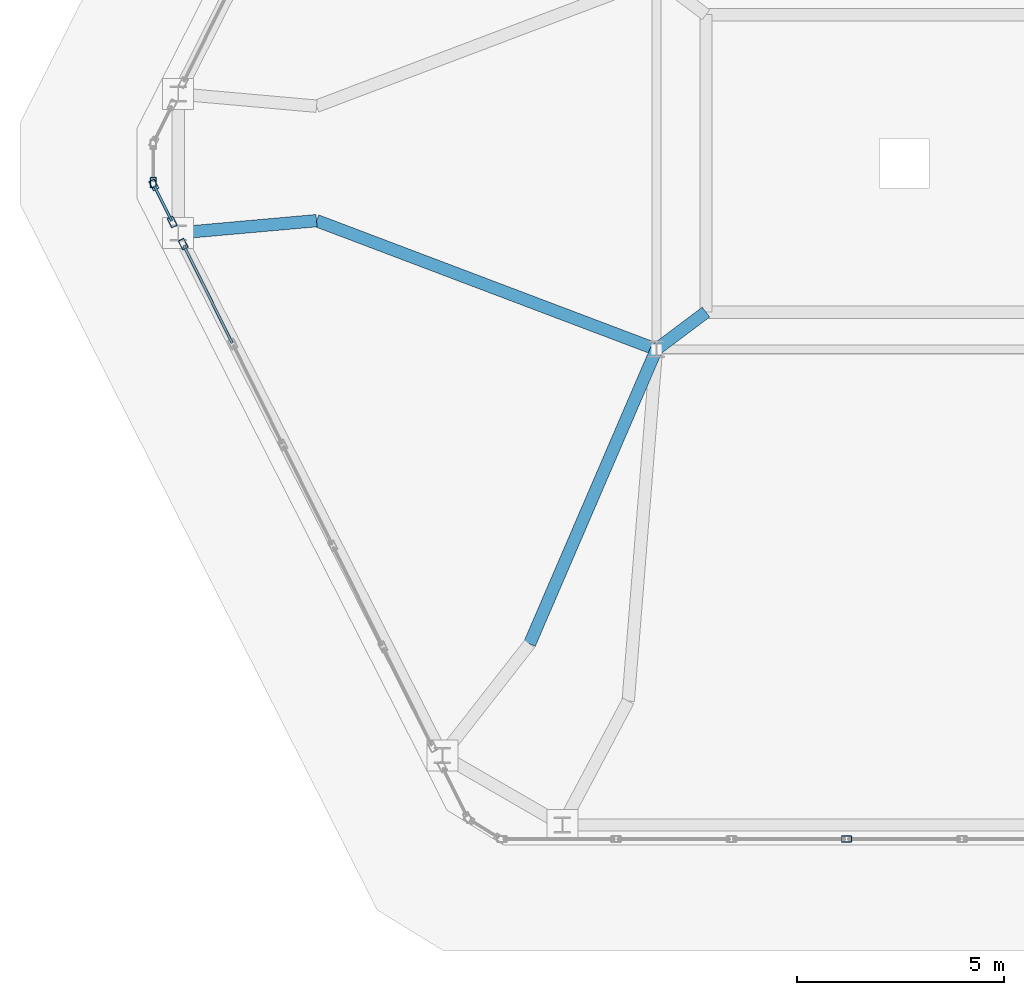
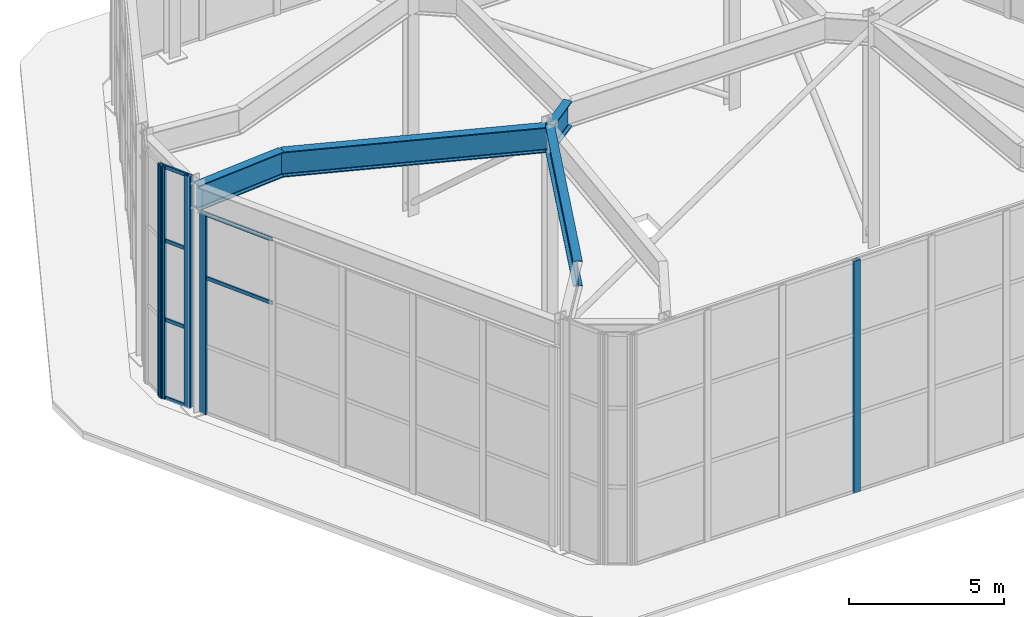
# One storey, part 3 of 12: 11 members, 4 beams, 4 elements without a shape of their own.
"""IFC4 building model written with IfcOpenShell, lengths in metres."""

from ifc_helpers import new_model, si_unit, direction, frame, origin, origin_2d, place, context, subcontext, project, spatial, hollow_rectangle, i_section, extrude, material, layer, layer_set, material_profile, profile_set, type_object, element, aggregate, save


model = new_model("IFC4")

# Units and contexts
model_context = context("Model", 3, precision=1e-05, world=origin(), true_north=direction((0.0, 1.0)))
body_context = subcontext(model_context, "Body", "Model", "MODEL_VIEW")
ifc_project = project(units=[si_unit("LENGTHUNIT", "METRE"), si_unit("AREAUNIT", "SQUARE_METRE"), si_unit("VOLUMEUNIT", "CUBIC_METRE"), si_unit("PLANEANGLEUNIT", "RADIAN"), si_unit("MASSUNIT", "GRAM", prefix="KILO")], contexts=[model_context])

# Site, building, storey
site_placement = place(None, origin())
site = spatial("IfcSite", under=ifc_project, at=site_placement, CompositionType="ELEMENT")
building_placement = place(site_placement, origin())
building = spatial("IfcBuilding", under=site, at=building_placement, Name="Cinnabar Lancet Tower", CompositionType="ELEMENT")
storey_placement = place(building_placement, frame((0.0, 0.0, 305.5)))
storey = spatial("IfcBuildingStorey", under=building, at=storey_placement, Name="L80", CompositionType="ELEMENT", Elevation=305.5)

# Curtain wall, member
ifc_material_1 = material(Name="Thermally broken bronze-anodized aluminium and low-E glass", Category="aluminium")
ifc_layer = layer(ifc_material_1, 0.179931640625)
ifc_layer_set = layer_set([ifc_layer], Name="Thermally broken bronze-anodized aluminium and low-E glass")
curtain_wall_type = type_object("IfcCurtainWallType", Name="ENV-CW-SYS-05", PredefinedType="NOTDEFINED", material=ifc_layer_set)
curtain_wall_1_placement = place(storey_placement, origin())
curtain_wall_1 = element("IfcCurtainWall", 1, at=curtain_wall_1_placement, inside=storey, type_object=curtain_wall_type, Name="L80 Faceted Lancet Crown Curtain Wall 2", PredefinedType="NOTDEFINED")
ifc_material_2 = material(Name="Anodized architectural aluminium 6063-T6", Category="aluminium")
ifc_material_profile_1 = material_profile(ifc_material_2, hollow_rectangle(XDim=0.14990234375, YDim=0.25, WallThickness=0.010009765625, InnerFilletRadius=0.0048828125, OuterFilletRadius=0.014892578125, at=origin_2d()), Name="RHS 250x150x10")
ifc_profile_set_1 = profile_set([ifc_material_profile_1], Name="Anodized architectural aluminium 6063-T6")
member_type_1 = type_object("IfcMemberType", Name="ENV-CW-MUL-260", PredefinedType="MULLION", material=ifc_profile_set_1)
member_1_placement = place(storey_placement, frame((31.0048828125, 9.449951171875, 0.0), z_axis=(0.0, 0.0, 1.0), x_axis=(0.0, 1.0, 0.0)))
member_1 = element("IfcMember", 2, at=member_1_placement, type_object=member_type_1, Name="CW-05 mullion 4", PredefinedType="MULLION", context=body_context, shape_type="SweptSolid", body=[
    extrude(hollow_rectangle(XDim=0.14990234375, YDim=0.25, WallThickness=0.010009765625, InnerFilletRadius=0.0048828125, OuterFilletRadius=0.014892578125, at=origin_2d()), origin(), (0.0, 0.0, 1.0), 9.175048828125),
])
aggregate(curtain_wall_1, [member_1])

curtain_wall_2_placement = place(storey_placement, origin())
curtain_wall_2 = element("IfcCurtainWall", 3, at=curtain_wall_2_placement, inside=storey, type_object=curtain_wall_type, Name="L80 Faceted Lancet Crown Curtain Wall 17", PredefinedType="NOTDEFINED")
member_2_placement = place(storey_placement, frame((14.222900390625, 25.3369140625, 0.0), z_axis=(0.0, 0.0, 1.0), x_axis=(1.0, 0.0, 0.0)))
member_2 = element("IfcMember", 4, at=member_2_placement, type_object=member_type_1, Name="CW-05 mullion 2", PredefinedType="MULLION", context=body_context, shape_type="SweptSolid", body=[
    extrude(hollow_rectangle(XDim=0.14990234375, YDim=0.25, WallThickness=0.010009765625, InnerFilletRadius=0.0048828125, OuterFilletRadius=0.014892578125, at=origin_2d()), origin(), (0.0, 0.0, 1.0), 9.175048828125),
])
aggregate(curtain_wall_2, [member_2])

# Curtain wall, members
curtain_wall_3_placement = place(storey_placement, origin())
curtain_wall_3 = element("IfcCurtainWall", 5, at=curtain_wall_3_placement, inside=storey, type_object=curtain_wall_type, Name="L80 Faceted Lancet Crown Curtain Wall 18", PredefinedType="NOTDEFINED")
member_3_placement = place(storey_placement, frame((14.236328125, 25.280029296875, 0.0), z_axis=(0.0, 0.0, 1.0), x_axis=(0.895741955534, 0.444574345971, 0.0)))
member_3 = element("IfcMember", 6, at=member_3_placement, type_object=member_type_1, Name="CW-05 mullion 1", PredefinedType="MULLION", context=body_context, shape_type="SweptSolid", body=[
    extrude(hollow_rectangle(XDim=0.14990234375, YDim=0.25, WallThickness=0.010009765625, InnerFilletRadius=0.0048828125, OuterFilletRadius=0.014892578125, at=origin_2d()), origin(), (0.0, 0.0, 1.0), 9.175048828125),
])
member_4_placement = place(storey_placement, frame((14.681640625, 24.3828125, 0.0), z_axis=(0.0, 0.0, 1.0), x_axis=(0.895741955534, 0.444574345971, 0.0)))
member_4 = element("IfcMember", 7, at=member_4_placement, type_object=member_type_1, Name="CW-05 mullion 2", PredefinedType="MULLION", context=body_context, shape_type="SweptSolid", body=[
    extrude(hollow_rectangle(XDim=0.14990234375, YDim=0.25, WallThickness=0.010009765625, InnerFilletRadius=0.0048828125, OuterFilletRadius=0.014892578125, at=origin_2d()), origin(), (0.0, 0.0, 1.0), 9.175048828125),
])

# Curtain wall, member
curtain_wall_4_placement = place(storey_placement, origin())
curtain_wall_4 = element("IfcCurtainWall", 8, at=curtain_wall_4_placement, inside=storey, type_object=curtain_wall_type, Name="L80 Faceted Lancet Crown Curtain Wall 19", PredefinedType="NOTDEFINED")
member_5_placement = place(storey_placement, frame((14.947265625, 23.84619140625, 0.0), z_axis=(0.0, 0.0, 1.0), x_axis=(0.8959477521, 0.44415945955, 0.0)))
member_5 = element("IfcMember", 9, at=member_5_placement, type_object=member_type_1, Name="CW-05 mullion 1", PredefinedType="MULLION", context=body_context, shape_type="SweptSolid", body=[
    extrude(hollow_rectangle(XDim=0.14990234375, YDim=0.25, WallThickness=0.010009765625, InnerFilletRadius=0.0048828125, OuterFilletRadius=0.014892578125, at=origin_2d()), origin(), (0.0, 0.0, 1.0), 7.9150390625),
])

# Member
ifc_material_3 = material(Name="Anodized architectural aluminium 6063-T6", Category="aluminium")
ifc_material_profile_2 = material_profile(ifc_material_3, hollow_rectangle(XDim=0.06494140625, YDim=0.14990234375, WallThickness=0.00390625, InnerFilletRadius=0.001953125, OuterFilletRadius=0.006103515625, at=origin_2d()), Name="CW-TRN 150x65x4")
ifc_profile_set_2 = profile_set([ifc_material_profile_2], Name="Anodized architectural aluminium 6063-T6")
member_type_2 = type_object("IfcMemberType", Name="ENV-CW-TRN-160", PredefinedType="USERDEFINED", material=ifc_profile_set_2)
member_6_placement = place(storey_placement, frame((14.249755859375, 25.253173828125, 0.030029296875), z_axis=(0.444411146811, -0.895822935959, 0.0), x_axis=(0.895822935959, 0.444411146811, 0.0)))
member_6 = element("IfcMember", 10, at=member_6_placement, type_object=member_type_2, Name="CW-05 transom 1.1", ObjectType="TRANSOM", PredefinedType="USERDEFINED", context=body_context, shape_type="SweptSolid", body=[
    extrude(hollow_rectangle(XDim=0.06494140625, YDim=0.14990234375, WallThickness=0.00390625, InnerFilletRadius=0.001953125, OuterFilletRadius=0.006103515625, at=origin_2d()), origin(), (0.0, 0.0, 1.0), 0.941650390625),
])

member_7_placement = place(storey_placement, frame((14.249755859375, 25.253173828125, 3.1201171875), z_axis=(0.444411146811, -0.895822935959, 0.0), x_axis=(0.895822935959, 0.444411146811, 0.0)))
member_7 = element("IfcMember", 11, at=member_7_placement, type_object=member_type_2, Name="CW-05 transom 1.2", ObjectType="TRANSOM", PredefinedType="USERDEFINED", context=body_context, shape_type="SweptSolid", body=[
    extrude(hollow_rectangle(XDim=0.06494140625, YDim=0.14990234375, WallThickness=0.00390625, InnerFilletRadius=0.001953125, OuterFilletRadius=0.006103515625, at=origin_2d()), origin(), (0.0, 0.0, 1.0), 0.941650390625),
])

member_8_placement = place(storey_placement, frame((14.249755859375, 25.253173828125, 6.239013671875), z_axis=(0.444411146811, -0.895822935959, 0.0), x_axis=(0.895822935959, 0.444411146811, 0.0)))
member_8 = element("IfcMember", 12, at=member_8_placement, type_object=member_type_2, Name="CW-05 transom 1.3", ObjectType="TRANSOM", PredefinedType="USERDEFINED", context=body_context, shape_type="SweptSolid", body=[
    extrude(hollow_rectangle(XDim=0.06494140625, YDim=0.14990234375, WallThickness=0.00390625, InnerFilletRadius=0.001953125, OuterFilletRadius=0.006103515625, at=origin_2d()), origin(), (0.0, 0.0, 1.0), 0.941650390625),
])

member_9_placement = place(storey_placement, frame((14.249755859375, 25.253173828125, 9.14501953125), z_axis=(0.444411146811, -0.895822935959, 0.0), x_axis=(0.895822935959, 0.444411146811, 0.0)))
member_9 = element("IfcMember", 13, at=member_9_placement, type_object=member_type_2, Name="CW-05 transom 1.4", ObjectType="TRANSOM", PredefinedType="USERDEFINED", context=body_context, shape_type="SweptSolid", body=[
    extrude(hollow_rectangle(XDim=0.06494140625, YDim=0.14990234375, WallThickness=0.00390625, InnerFilletRadius=0.001953125, OuterFilletRadius=0.006103515625, at=origin_2d()), origin(), (0.0, 0.0, 1.0), 0.941650390625),
])

aggregate(curtain_wall_3, [member_3, member_4, member_6, member_7, member_8, member_9])

member_10_placement = place(storey_placement, frame((14.960693359375, 23.8193359375, 5.382080078125), z_axis=(0.444099599874, -0.895977424599, 0.0), x_axis=(0.895977424599, 0.444099599874, 0.0)))
member_10 = element("IfcMember", 14, at=member_10_placement, type_object=member_type_2, Name="CW-05 transom 1.3", ObjectType="TRANSOM", PredefinedType="USERDEFINED", context=body_context, shape_type="SweptSolid", body=[
    extrude(hollow_rectangle(XDim=0.06494140625, YDim=0.14990234375, WallThickness=0.00390625, InnerFilletRadius=0.001953125, OuterFilletRadius=0.006103515625, at=origin_2d()), origin(), (0.0, 0.0, 1.0), 2.636474609375),
])

member_11_placement = place(storey_placement, frame((14.960693359375, 23.8193359375, 7.885009765625), z_axis=(0.444099599874, -0.895977424599, 0.0), x_axis=(0.895977424599, 0.444099599874, 0.0)))
member_11 = element("IfcMember", 15, at=member_11_placement, type_object=member_type_2, Name="CW-05 transom 1.4", ObjectType="TRANSOM", PredefinedType="USERDEFINED", context=body_context, shape_type="SweptSolid", body=[
    extrude(hollow_rectangle(XDim=0.06494140625, YDim=0.14990234375, WallThickness=0.00390625, InnerFilletRadius=0.001953125, OuterFilletRadius=0.006103515625, at=origin_2d()), origin(), (0.0, 0.0, 1.0), 2.636474609375),
])

aggregate(curtain_wall_4, [member_5, member_10, member_11])

# Beams
ifc_material_4 = material(Name="Structural steel S460", Category="steel")
ifc_material_profile_3 = material_profile(ifc_material_4, i_section(OverallWidth=0.300048828125, OverallDepth=1.0, WebThickness=0.01904296875, FlangeThickness=0.035888671875, FilletRadius=0.030029296875, at=origin_2d()), Name="UKB 1016x305x314")
ifc_profile_set_3 = profile_set([ifc_material_profile_3], Name="Structural steel S460")
beam_type = type_object("IfcBeamType", Name="STR-BM-UKB1016-314", PredefinedType="BEAM", material=ifc_profile_set_3)
beam_1_placement = place(storey_placement, frame((14.826904296875, 24.116943359375, 8.425048828125), z_axis=(0.996057676075, 0.088707981217, 0.0), x_axis=(-0.088707981217, 0.996057676075, 0.0)))
element("IfcBeam", 16, at=beam_1_placement, inside=storey, type_object=beam_type, Name="L81 Crown Setback Strut Girder 11", PredefinedType="BEAM", context=body_context, shape_type="SweptSolid", body=[
    extrude(i_section(OverallWidth=0.300048828125, OverallDepth=1.0, WebThickness=0.01904296875, FlangeThickness=0.035888671875, FilletRadius=0.030029296875, at=origin_2d()), origin(), (0.0, 0.0, 1.0), 3.3603515625),
])
beam_2_placement = place(storey_placement, frame((18.174072265625, 24.4150390625, 8.425048828125), z_axis=(0.935191622196, -0.354142103927, 0.0), x_axis=(0.354142103927, 0.935191622196, 0.0)))
element("IfcBeam", 17, at=beam_2_placement, inside=storey, type_object=beam_type, Name="L81 Crown Setback Radial Girder 11", PredefinedType="BEAM", context=body_context, shape_type="SweptSolid", body=[
    extrude(i_section(OverallWidth=0.300048828125, OverallDepth=1.0, WebThickness=0.01904296875, FlangeThickness=0.035888671875, FilletRadius=0.030029296875, at=origin_2d()), origin(), (0.0, 0.0, 1.0), 8.7958984375),
])
beam_3_placement = place(storey_placement, frame((23.3310546875, 14.172119140625, 8.425048828125), z_axis=(0.395445080383, 0.918489623458, 0.0), x_axis=(-0.918489623458, 0.395445080383, 0.0)))
element("IfcBeam", 18, at=beam_3_placement, inside=storey, type_object=beam_type, Name="L81 Crown Setback Radial Girder 12", PredefinedType="BEAM", context=body_context, shape_type="SweptSolid", body=[
    extrude(i_section(OverallWidth=0.300048828125, OverallDepth=1.0, WebThickness=0.01904296875, FlangeThickness=0.035888671875, FilletRadius=0.030029296875, at=origin_2d()), origin(), (0.0, 0.0, 1.0), 7.760498046875),
])
beam_4_placement = place(storey_placement, frame((26.39990234375, 21.300048828125, 8.425048828125), z_axis=(0.800078113133, 0.59989583503, 0.0), x_axis=(-0.59989583503, 0.800078113133, 0.0)))
element("IfcBeam", 19, at=beam_4_placement, inside=storey, type_object=beam_type, Name="L81 Crown Inner Ring Transfer 1", PredefinedType="BEAM", context=body_context, shape_type="SweptSolid", body=[
    extrude(i_section(OverallWidth=0.300048828125, OverallDepth=1.0, WebThickness=0.01904296875, FlangeThickness=0.035888671875, FilletRadius=0.030029296875, at=origin_2d()), origin(), (0.0, 0.0, 1.0), 1.5),
])

save(model, "model.ifc")
